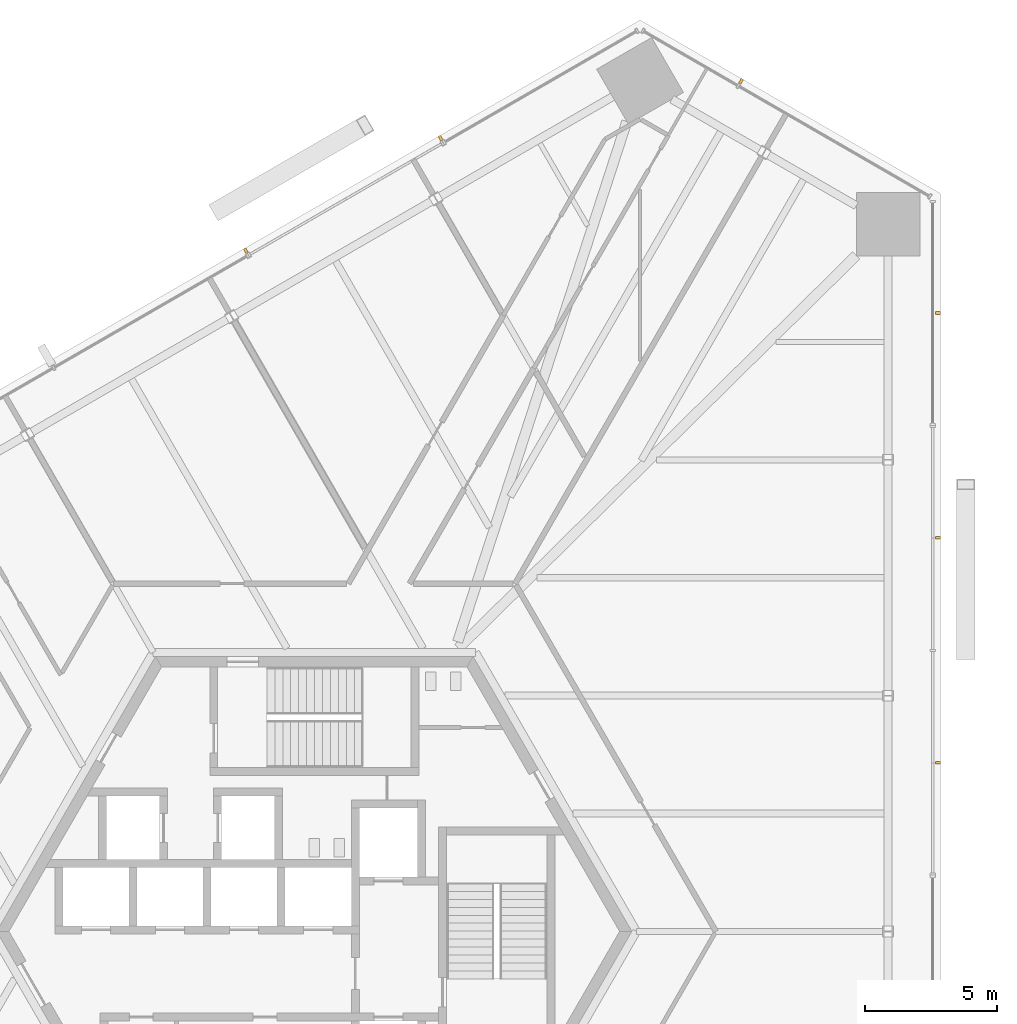
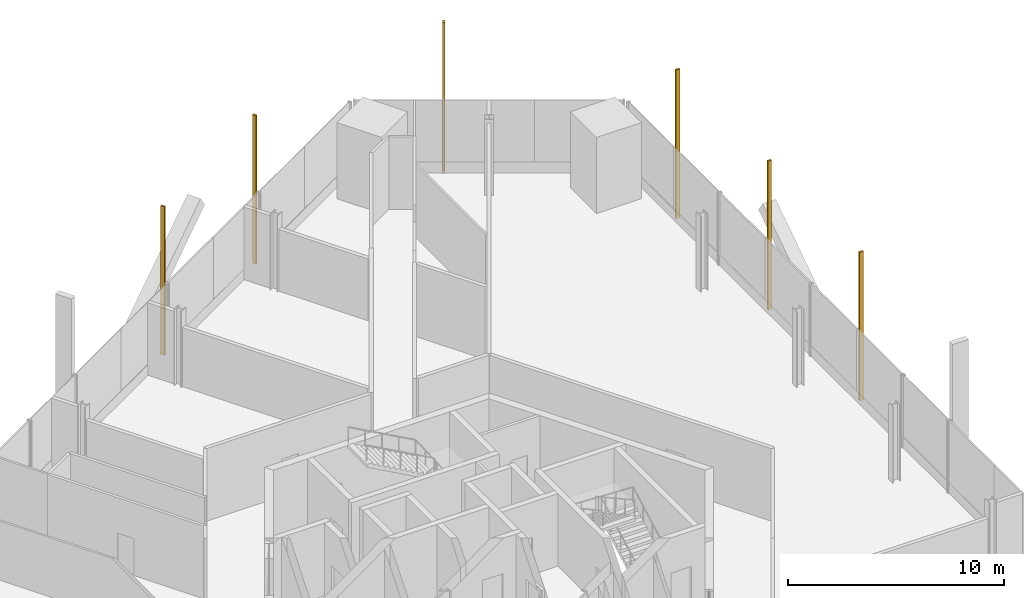
# One storey, part 18 of 19: 6 shading devices.
"""IFC4 building model written with IfcOpenShell, lengths in metres."""

from ifc_helpers import new_model, si_unit, direction, frame, origin, origin_2d, place, context, subcontext, project, spatial, rectangle, extrude, source, transform, mapped, material, element, save


model = new_model("IFC4")

# Units and contexts
model_context = context("Model", 3, precision=1e-05, world=origin(), true_north=direction((0.0, 1.0)))
body_context = subcontext(model_context, "Body", "Model", "MODEL_VIEW")
ifc_project = project(units=[si_unit("LENGTHUNIT", "METRE"), si_unit("AREAUNIT", "SQUARE_METRE"), si_unit("VOLUMEUNIT", "CUBIC_METRE"), si_unit("PLANEANGLEUNIT", "RADIAN"), si_unit("MASSUNIT", "GRAM", prefix="KILO")], contexts=[model_context])

# Site, building, storey
site_placement = place(None, origin())
site = spatial("IfcSite", under=ifc_project, at=site_placement, CompositionType="ELEMENT")
building_placement = place(site_placement, origin())
building = spatial("IfcBuilding", under=site, at=building_placement, Name="Triune Harvest Tower", CompositionType="ELEMENT")
storey_placement = place(building_placement, frame((0.0, 0.0, 41.800048828125)))
storey = spatial("IfcBuildingStorey", under=building, at=storey_placement, Name="L09", CompositionType="ELEMENT", Elevation=41.800048828125)

# Shading devices
ifc_material = material(Name="Aluminium bronze anodised", Category="aluminium")
shared_shape = source(origin(), body_context, "Body", "SweptSolid", [
    extrude(rectangle(XDim=0.10009765625, YDim=0.199951171875, at=origin_2d()), origin(), (0.0, 0.0, 1.0), 8.39990234375),
])
for number, where, z_axis, x_axis, name in (
    (1, (23.5712890625, 6.373046875, 0.0), (0.0, 0.0, 1.0), (0.0, 1.0, 0.0), "FN-1 fin B1-F1.9 L09"),
    (2, (23.5712890625, 14.87060546875, 0.0), (0.0, 0.0, 1.0), (0.0, 1.0, 0.0), "FN-1 fin B1-F1.11 L09"),
    (3, (23.5712890625, 23.3681640625, 0.0), (0.0, 0.0, 1.0), (0.0, 1.0, 0.0), "FN-1 fin B1-F1.13 L09"),
    (4, (16.12255859375, 32.122802734375, 0.0), (0.0, 0.0, 1.0), (-0.866026145592, 0.499998715149, 0.0), "FN-1 fin B1-F2.3 L09"),
    (5, (4.772216796875, 29.97314453125, 0.0), (0.0, 0.0, 1.0), (-0.866025470037, -0.499999885247, 0.0), "FN-1 fin B1-F3.3 L09"),
    (6, (-2.5869140625, 25.724365234375, 0.0), (0.0, 0.0, 1.0), (-0.866025470037, -0.499999885247, 0.0), "FN-1 fin B1-F3.5 L09"),
):
    element("IfcShadingDevice", number, at=place(storey_placement, frame(where, z_axis=z_axis, x_axis=x_axis)), inside=storey, material=ifc_material, Name=name, ObjectType="FIN", PredefinedType="USERDEFINED", context=body_context, shape_type="MappedRepresentation", body=[
        mapped(shared_shape, transform((0.0, 0.0, 0.0), scale=1.0)),
    ])

save(model, "model.ifc")
